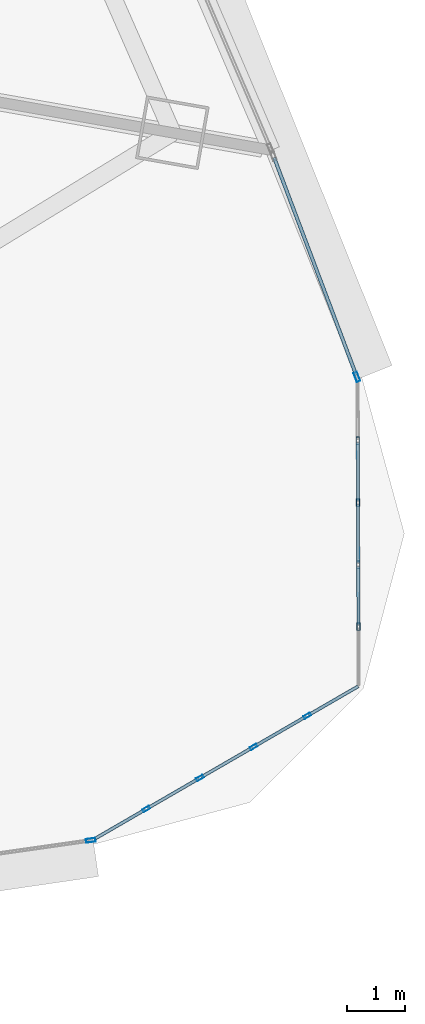
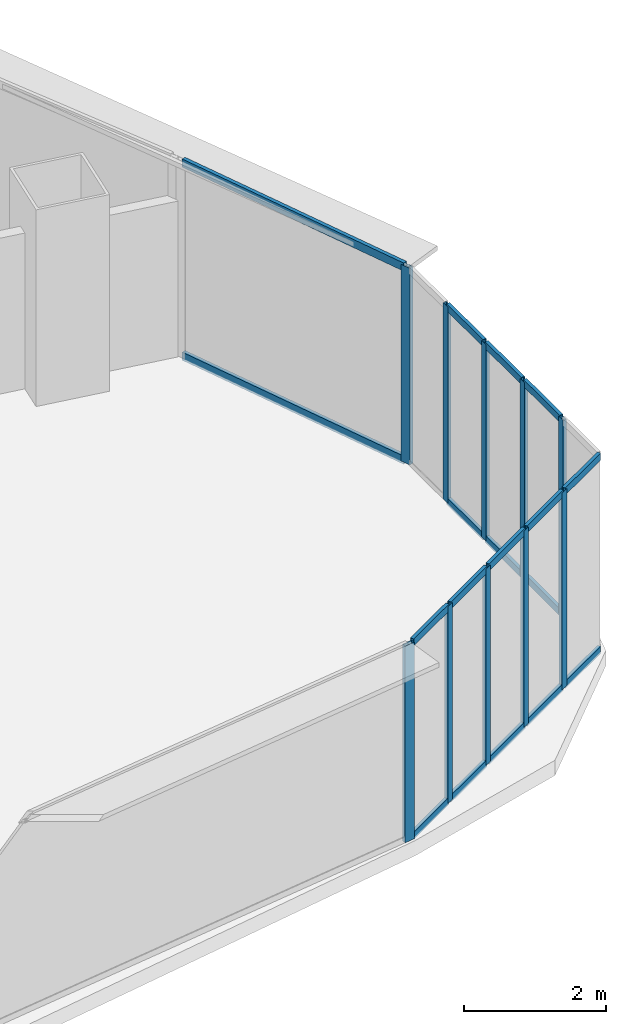
# One storey, part 22 of 42: 28 members, 4 elements without a shape of their own.
"""IFC4 building model written with IfcOpenShell, lengths in metres."""

from ifc_helpers import new_model, si_unit, direction, frame, origin, origin_2d, place, context, subcontext, project, spatial, hollow_rectangle, extrude, source, transform, mapped, material, layer, layer_set, material_profile, profile_set, type_object, element, aggregate, save


model = new_model("IFC4")

# Units and contexts
model_context = context("Model", 3, precision=1e-05, world=origin(), true_north=direction((0.0, 1.0)))
body_context = subcontext(model_context, "Body", "Model", "MODEL_VIEW")
ifc_project = project(units=[si_unit("LENGTHUNIT", "METRE"), si_unit("AREAUNIT", "SQUARE_METRE"), si_unit("VOLUMEUNIT", "CUBIC_METRE"), si_unit("PLANEANGLEUNIT", "RADIAN"), si_unit("MASSUNIT", "GRAM", prefix="KILO"), si_unit("THERMODYNAMICTEMPERATUREUNIT", "KELVIN"), si_unit("POWERUNIT", "WATT")], contexts=[model_context])

# Site, building, storey
site_placement = place(None, origin())
site = spatial("IfcSite", under=ifc_project, at=site_placement, CompositionType="ELEMENT")
building_placement = place(site_placement, origin())
building = spatial("IfcBuilding", under=site, at=building_placement, Name="Yunzhuo Pagoda Commons", CompositionType="ELEMENT")
storey_placement = place(building_placement, frame((0.0, 0.0, 41.2900390625)))
storey = spatial("IfcBuildingStorey", under=building, at=storey_placement, Name="L10", CompositionType="ELEMENT", Elevation=41.2900390625)

# Curtain wall, member
ifc_material = material(Name="Anodized aluminium 6063-T6", Category="aluminium")
ifc_layer_1 = layer(ifc_material, 0.1650390625)
ifc_layer_set_1 = layer_set([ifc_layer_1], Name="Anodized aluminium 6063-T6")
curtain_wall_type_1 = type_object("IfcCurtainWallType", Name="CW-LOW Low-Zone Ribbon Curtain Wall", PredefinedType="NOTDEFINED", material=ifc_layer_set_1)
curtain_wall_1_placement = place(storey_placement, origin())
curtain_wall_1 = element("IfcCurtainWall", 1, at=curtain_wall_1_placement, inside=storey, type_object=curtain_wall_type_1, Name="L10 curtain wall CW-L10-F1B5", PredefinedType="NOTDEFINED")
ifc_material_profile_1 = material_profile(ifc_material, hollow_rectangle(XDim=0.06494140625, YDim=0.1650390625, WallThickness=0.00390625, at=origin_2d()), Name="Anodized aluminium 6063-T6")
ifc_profile_set_1 = profile_set([ifc_material_profile_1], Name="Anodized aluminium 6063-T6")
member_type_1 = type_object("IfcMemberType", Name="CW-LOW-M Mullion RHS 165x65x4", PredefinedType="MULLION", material=ifc_profile_set_1)
shared_shape_1 = source(origin(), body_context, "Body", "SweptSolid", [
    extrude(hollow_rectangle(XDim=0.06494140625, YDim=0.1650390625, WallThickness=0.00390625, at=origin_2d()), origin(), (0.0, 0.0, 1.0), 3.369873046875),
])
member_1_placement = place(storey_placement, frame((86.635986328125, 14.39697265625, 0.0), z_axis=(0.0, 0.0, 1.0), x_axis=(-0.141492753346, 0.989939291447, 0.0)))
member_1 = element("IfcMember", 2, at=member_1_placement, type_object=member_type_1, Name="CW mullion 2", PredefinedType="MULLION", context=body_context, shape_type="MappedRepresentation", body=[
    mapped(shared_shape_1, transform((0.0, 0.0, 0.0), scale=1.0)),
])
aggregate(curtain_wall_1, [member_1])

# Curtain wall, members
curtain_wall_2_placement = place(storey_placement, origin())
curtain_wall_2 = element("IfcCurtainWall", 3, at=curtain_wall_2_placement, inside=storey, type_object=curtain_wall_type_1, Name="L10 curtain wall CW-L10-F2B1", PredefinedType="NOTDEFINED")
member_2_placement = place(storey_placement, frame((91.239990234375, 22.41455078125, 0.0), z_axis=(0.0, 0.0, 1.0), x_axis=(-0.935566420146, -0.353150780113, 0.0)))
member_2 = element("IfcMember", 4, at=member_2_placement, type_object=member_type_1, Name="CW mullion 1", PredefinedType="MULLION", context=body_context, shape_type="MappedRepresentation", body=[
    mapped(shared_shape_1, transform((0.0, 0.0, 0.0), scale=1.0)),
])
ifc_material_profile_2 = material_profile(ifc_material, hollow_rectangle(XDim=0.06005859375, YDim=0.139892578125, WallThickness=0.00341796875, at=origin_2d()), Name="Anodized aluminium 6063-T6")
ifc_profile_set_2 = profile_set([ifc_material_profile_2], Name="Anodized aluminium 6063-T6")
member_type_2 = type_object("IfcMemberType", Name="CW-LOW-T Transom RHS 140x60x3.5", PredefinedType="USERDEFINED", material=ifc_profile_set_2)
shared_shape_2 = source(origin(), body_context, "Body", "SweptSolid", [
    extrude(hollow_rectangle(XDim=0.06005859375, YDim=0.139892578125, WallThickness=0.00341796875, at=origin_2d()), origin(), (0.0, 0.0, 1.0), 4.019775390625),
])
member_3_placement = place(storey_placement, frame((91.228515625, 22.44482421875, 0.030029296875), z_axis=(-0.353172606042, 0.935558181163, 0.0), x_axis=(-0.935558181163, -0.353172606042, 0.0)))
member_3 = element("IfcMember", 5, at=member_3_placement, type_object=member_type_2, Name="CW transom 1.1", ObjectType="TRANSOM", PredefinedType="USERDEFINED", context=body_context, shape_type="MappedRepresentation", body=[
    mapped(shared_shape_2, transform((0.0, 0.0, 0.0), scale=1.0)),
])
member_4_placement = place(storey_placement, frame((91.228515625, 22.44482421875, 3.33984375), z_axis=(-0.353172606042, 0.935558181163, 0.0), x_axis=(-0.935558181163, -0.353172606042, 0.0)))
member_4 = element("IfcMember", 6, at=member_4_placement, type_object=member_type_2, Name="CW transom 1.2", ObjectType="TRANSOM", PredefinedType="USERDEFINED", context=body_context, shape_type="MappedRepresentation", body=[
    mapped(shared_shape_2, transform((0.0, 0.0, 0.0), scale=1.0)),
])
aggregate(curtain_wall_2, [member_2, member_3, member_4])

ifc_layer_2 = layer(ifc_material, 0.1298828125)
ifc_layer_set_2 = layer_set([ifc_layer_2], Name="Anodized aluminium 6063-T6")
curtain_wall_type_2 = type_object("IfcCurtainWallType", Name="CW-VTX Rounded Corner Curtain Wall", PredefinedType="NOTDEFINED", material=ifc_layer_set_2)
curtain_wall_3_placement = place(storey_placement, origin())
curtain_wall_3 = element("IfcCurtainWall", 7, at=curtain_wall_3_placement, inside=storey, type_object=curtain_wall_type_2, Name="L10 curtain wall CW-L10-VTX2S1", PredefinedType="NOTDEFINED")
ifc_material_profile_3 = material_profile(ifc_material, hollow_rectangle(XDim=0.054931640625, YDim=0.1298828125, WallThickness=0.00341796875, at=origin_2d()), Name="Anodized aluminium 6063-T6")
ifc_profile_set_3 = profile_set([ifc_material_profile_3], Name="Anodized aluminium 6063-T6")
member_type_3 = type_object("IfcMemberType", Name="CW-VTX-M Mullion RHS 130x55x3.5", PredefinedType="MULLION", material=ifc_profile_set_3)
shared_shape_3 = source(origin(), body_context, "Body", "SweptSolid", [
    extrude(hollow_rectangle(XDim=0.054931640625, YDim=0.1298828125, WallThickness=0.00341796875, at=origin_2d()), origin(), (0.0, 0.0, 1.0), 3.369873046875),
])
member_5_placement = place(storey_placement, frame((87.5966796875, 14.93896484375, 0.0), z_axis=(0.0, 0.0, 1.0), x_axis=(-0.501041414295, 0.865423307498, 0.0)))
member_5 = element("IfcMember", 8, at=member_5_placement, type_object=member_type_3, Name="CW mullion 2", PredefinedType="MULLION", context=body_context, shape_type="MappedRepresentation", body=[
    mapped(shared_shape_3, transform((0.0, 0.0, 0.0), scale=1.0)),
])
member_6_placement = place(storey_placement, frame((88.525390625, 15.476318359375, 0.0), z_axis=(0.0, 0.0, 1.0), x_axis=(-0.501041414295, 0.865423307498, 0.0)))
member_6 = element("IfcMember", 9, at=member_6_placement, type_object=member_type_3, Name="CW mullion 3", PredefinedType="MULLION", context=body_context, shape_type="MappedRepresentation", body=[
    mapped(shared_shape_3, transform((0.0, 0.0, 0.0), scale=1.0)),
])
member_7_placement = place(storey_placement, frame((89.45361328125, 16.013916015625, 0.0), z_axis=(0.0, 0.0, 1.0), x_axis=(-0.501041414295, 0.865423307498, 0.0)))
member_7 = element("IfcMember", 10, at=member_7_placement, type_object=member_type_3, Name="CW mullion 4", PredefinedType="MULLION", context=body_context, shape_type="MappedRepresentation", body=[
    mapped(shared_shape_3, transform((0.0, 0.0, 0.0), scale=1.0)),
])
member_8_placement = place(storey_placement, frame((90.382080078125, 16.551513671875, 0.0), z_axis=(0.0, 0.0, 1.0), x_axis=(-0.501041414295, 0.865423307498, 0.0)))
member_8 = element("IfcMember", 11, at=member_8_placement, type_object=member_type_3, Name="CW mullion 5", PredefinedType="MULLION", context=body_context, shape_type="MappedRepresentation", body=[
    mapped(shared_shape_3, transform((0.0, 0.0, 0.0), scale=1.0)),
])

curtain_wall_4_placement = place(storey_placement, origin())
curtain_wall_4 = element("IfcCurtainWall", 12, at=curtain_wall_4_placement, inside=storey, type_object=curtain_wall_type_2, Name="L10 curtain wall CW-L10-VTX2S2", PredefinedType="NOTDEFINED")
member_9_placement = place(storey_placement, frame((91.266845703125, 18.092529296875, 0.0), z_axis=(0.0, 0.0, 1.0), x_axis=(-0.999993595138, -0.003579061808, 0.0)))
member_9 = element("IfcMember", 13, at=member_9_placement, type_object=member_type_3, Name="CW mullion 2", PredefinedType="MULLION", context=body_context, shape_type="MappedRepresentation", body=[
    mapped(shared_shape_3, transform((0.0, 0.0, 0.0), scale=1.0)),
])
member_10_placement = place(storey_placement, frame((91.26318359375, 19.165283203125, 0.0), z_axis=(0.0, 0.0, 1.0), x_axis=(-0.999993595138, -0.003579061808, 0.0)))
member_10 = element("IfcMember", 14, at=member_10_placement, type_object=member_type_3, Name="CW mullion 3", PredefinedType="MULLION", context=body_context, shape_type="MappedRepresentation", body=[
    mapped(shared_shape_3, transform((0.0, 0.0, 0.0), scale=1.0)),
])
member_11_placement = place(storey_placement, frame((91.25927734375, 20.23828125, 0.0), z_axis=(0.0, 0.0, 1.0), x_axis=(-0.999993595138, -0.003579061808, 0.0)))
member_11 = element("IfcMember", 15, at=member_11_placement, type_object=member_type_3, Name="CW mullion 4", PredefinedType="MULLION", context=body_context, shape_type="MappedRepresentation", body=[
    mapped(shared_shape_3, transform((0.0, 0.0, 0.0), scale=1.0)),
])
member_12_placement = place(storey_placement, frame((91.25537109375, 21.311279296875, 0.0), z_axis=(0.0, 0.0, 1.0), x_axis=(-0.999993595138, -0.003579061808, 0.0)))
member_12 = element("IfcMember", 16, at=member_12_placement, type_object=member_type_3, Name="CW mullion 5", PredefinedType="MULLION", context=body_context, shape_type="MappedRepresentation", body=[
    mapped(shared_shape_3, transform((0.0, 0.0, 0.0), scale=1.0)),
])

# Member
ifc_material_profile_4 = material_profile(ifc_material, hollow_rectangle(XDim=0.054931640625, YDim=0.1201171875, WallThickness=0.00341796875, at=origin_2d()), Name="Anodized aluminium 6063-T6")
ifc_profile_set_4 = profile_set([ifc_material_profile_4], Name="Anodized aluminium 6063-T6")
member_type_4 = type_object("IfcMemberType", Name="CW-VTX-T Transom RHS 120x55x3.5", PredefinedType="USERDEFINED", material=ifc_profile_set_4)
shared_shape_4 = source(origin(), body_context, "Body", "SweptSolid", [
    extrude(hollow_rectangle(XDim=0.054931640625, YDim=0.1201171875, WallThickness=0.00341796875, at=origin_2d()), origin(), (0.0, 0.0, 1.0), 0.990478515625),
])
member_13_placement = place(storey_placement, frame((90.406005859375, 16.5654296875, 0.02734375), z_axis=(0.865499411208, 0.500909941206, 0.0), x_axis=(-0.500909941206, 0.865499411208, 0.0)))
member_13 = element("IfcMember", 17, at=member_13_placement, type_object=member_type_4, Name="CW transom 5.1", ObjectType="TRANSOM", PredefinedType="USERDEFINED", context=body_context, shape_type="MappedRepresentation", body=[
    mapped(shared_shape_4, transform((0.0, 0.0, 0.0), scale=1.0)),
])

member_14_placement = place(storey_placement, frame((90.406005859375, 16.5654296875, 3.342529296875), z_axis=(0.865499411208, 0.500909941206, 0.0), x_axis=(-0.500909941206, 0.865499411208, 0.0)))
member_14 = element("IfcMember", 18, at=member_14_placement, type_object=member_type_4, Name="CW transom 5.2", ObjectType="TRANSOM", PredefinedType="USERDEFINED", context=body_context, shape_type="MappedRepresentation", body=[
    mapped(shared_shape_4, transform((0.0, 0.0, 0.0), scale=1.0)),
])

shared_shape_5 = source(origin(), body_context, "Body", "SweptSolid", [
    extrude(hollow_rectangle(XDim=0.054931640625, YDim=0.1201171875, WallThickness=0.00341796875, at=origin_2d()), origin(), (0.0, 0.0, 1.0), 1.017822265625),
])
member_15_placement = place(storey_placement, frame((91.26318359375, 19.19287109375, 0.02734375), z_axis=(-0.00383782254, 0.999992635532, 0.0), x_axis=(-0.999992635532, -0.00383782254, 0.0)))
member_15 = element("IfcMember", 19, at=member_15_placement, type_object=member_type_4, Name="CW transom 3.1", ObjectType="TRANSOM", PredefinedType="USERDEFINED", context=body_context, shape_type="MappedRepresentation", body=[
    mapped(shared_shape_5, transform((0.0, 0.0, 0.0), scale=1.0)),
])

member_16_placement = place(storey_placement, frame((91.26318359375, 19.19287109375, 3.342529296875), z_axis=(-0.00383782254, 0.999992635532, 0.0), x_axis=(-0.999992635532, -0.00383782254, 0.0)))
member_16 = element("IfcMember", 20, at=member_16_placement, type_object=member_type_4, Name="CW transom 3.2", ObjectType="TRANSOM", PredefinedType="USERDEFINED", context=body_context, shape_type="MappedRepresentation", body=[
    mapped(shared_shape_5, transform((0.0, 0.0, 0.0), scale=1.0)),
])

member_17_placement = place(storey_placement, frame((91.259033203125, 20.265869140625, 0.02734375), z_axis=(-0.00359796184, 0.999993527314, 0.0), x_axis=(-0.999993527314, -0.00359796184, 0.0)))
member_17 = element("IfcMember", 21, at=member_17_placement, type_object=member_type_4, Name="CW transom 4.1", ObjectType="TRANSOM", PredefinedType="USERDEFINED", context=body_context, shape_type="MappedRepresentation", body=[
    mapped(shared_shape_5, transform((0.0, 0.0, 0.0), scale=1.0)),
])

member_18_placement = place(storey_placement, frame((91.259033203125, 20.265869140625, 3.342529296875), z_axis=(-0.00359796184, 0.999993527314, 0.0), x_axis=(-0.999993527314, -0.00359796184, 0.0)))
member_18 = element("IfcMember", 22, at=member_18_placement, type_object=member_type_4, Name="CW transom 4.2", ObjectType="TRANSOM", PredefinedType="USERDEFINED", context=body_context, shape_type="MappedRepresentation", body=[
    mapped(shared_shape_5, transform((0.0, 0.0, 0.0), scale=1.0)),
])

shared_shape_6 = source(origin(), body_context, "Body", "SweptSolid", [
    extrude(hollow_rectangle(XDim=0.054931640625, YDim=0.1201171875, WallThickness=0.00341796875, at=origin_2d()), origin(), (0.0, 0.0, 1.0), 1.01806640625),
])
member_19_placement = place(storey_placement, frame((87.620361328125, 14.95263671875, 0.02734375), z_axis=(0.865305848027, 0.501244241235, 0.0), x_axis=(-0.501244241235, 0.865305848027, 0.0)))
member_19 = element("IfcMember", 23, at=member_19_placement, type_object=member_type_4, Name="CW transom 2.1", ObjectType="TRANSOM", PredefinedType="USERDEFINED", context=body_context, shape_type="MappedRepresentation", body=[
    mapped(shared_shape_6, transform((0.0, 0.0, 0.0), scale=1.0)),
])

member_20_placement = place(storey_placement, frame((87.620361328125, 14.95263671875, 3.342529296875), z_axis=(0.865305848027, 0.501244241235, 0.0), x_axis=(-0.501244241235, 0.865305848027, 0.0)))
member_20 = element("IfcMember", 24, at=member_20_placement, type_object=member_type_4, Name="CW transom 2.2", ObjectType="TRANSOM", PredefinedType="USERDEFINED", context=body_context, shape_type="MappedRepresentation", body=[
    mapped(shared_shape_6, transform((0.0, 0.0, 0.0), scale=1.0)),
])

member_21_placement = place(storey_placement, frame((88.548828125, 15.490234375, 0.02734375), z_axis=(0.865470064702, 0.500960644268, 0.0), x_axis=(-0.500960644268, 0.865470064702, 0.0)))
member_21 = element("IfcMember", 25, at=member_21_placement, type_object=member_type_4, Name="CW transom 3.1", ObjectType="TRANSOM", PredefinedType="USERDEFINED", context=body_context, shape_type="MappedRepresentation", body=[
    mapped(shared_shape_6, transform((0.0, 0.0, 0.0), scale=1.0)),
])

member_22_placement = place(storey_placement, frame((88.548828125, 15.490234375, 3.342529296875), z_axis=(0.865470064702, 0.500960644268, 0.0), x_axis=(-0.500960644268, 0.865470064702, 0.0)))
member_22 = element("IfcMember", 26, at=member_22_placement, type_object=member_type_4, Name="CW transom 3.2", ObjectType="TRANSOM", PredefinedType="USERDEFINED", context=body_context, shape_type="MappedRepresentation", body=[
    mapped(shared_shape_6, transform((0.0, 0.0, 0.0), scale=1.0)),
])

member_23_placement = place(storey_placement, frame((89.477294921875, 16.02783203125, 0.02734375), z_axis=(0.865470064702, 0.500960644268, 0.0), x_axis=(-0.500960644268, 0.865470064702, 0.0)))
member_23 = element("IfcMember", 27, at=member_23_placement, type_object=member_type_4, Name="CW transom 4.1", ObjectType="TRANSOM", PredefinedType="USERDEFINED", context=body_context, shape_type="MappedRepresentation", body=[
    mapped(shared_shape_6, transform((0.0, 0.0, 0.0), scale=1.0)),
])

member_24_placement = place(storey_placement, frame((89.477294921875, 16.02783203125, 3.342529296875), z_axis=(0.865470064702, 0.500960644268, 0.0), x_axis=(-0.500960644268, 0.865470064702, 0.0)))
member_24 = element("IfcMember", 28, at=member_24_placement, type_object=member_type_4, Name="CW transom 4.2", ObjectType="TRANSOM", PredefinedType="USERDEFINED", context=body_context, shape_type="MappedRepresentation", body=[
    mapped(shared_shape_6, transform((0.0, 0.0, 0.0), scale=1.0)),
])

member_25_placement = place(storey_placement, frame((91.266845703125, 18.1201171875, 0.02734375), z_axis=(-0.00359709903, 0.999993530418, 0.0), x_axis=(-0.999993530418, -0.00359709903, 0.0)))
member_25 = element("IfcMember", 29, at=member_25_placement, type_object=member_type_4, Name="CW transom 2.1", ObjectType="TRANSOM", PredefinedType="USERDEFINED", context=body_context, shape_type="MappedRepresentation", body=[
    mapped(shared_shape_6, transform((0.0, 0.0, 0.0), scale=1.0)),
])

member_26_placement = place(storey_placement, frame((91.266845703125, 18.1201171875, 3.342529296875), z_axis=(-0.00359709903, 0.999993530418, 0.0), x_axis=(-0.999993530418, -0.00359709903, 0.0)))
member_26 = element("IfcMember", 30, at=member_26_placement, type_object=member_type_4, Name="CW transom 2.2", ObjectType="TRANSOM", PredefinedType="USERDEFINED", context=body_context, shape_type="MappedRepresentation", body=[
    mapped(shared_shape_6, transform((0.0, 0.0, 0.0), scale=1.0)),
])

aggregate(curtain_wall_4, [member_9, member_10, member_11, member_12, member_25, member_26, member_15, member_16, member_17, member_18])

shared_shape_7 = source(origin(), body_context, "Body", "SweptSolid", [
    extrude(hollow_rectangle(XDim=0.054931640625, YDim=0.1201171875, WallThickness=0.00341796875, at=origin_2d()), origin(), (0.0, 0.0, 1.0), 0.990234375),
])
member_27_placement = place(storey_placement, frame((86.7158203125, 14.428955078125, 0.02734375), z_axis=(0.865437539194, 0.501016831807, 0.0), x_axis=(-0.501016831807, 0.865437539194, 0.0)))
member_27 = element("IfcMember", 31, at=member_27_placement, type_object=member_type_4, Name="CW transom 1.1", ObjectType="TRANSOM", PredefinedType="USERDEFINED", context=body_context, shape_type="MappedRepresentation", body=[
    mapped(shared_shape_7, transform((0.0, 0.0, 0.0), scale=1.0)),
])

member_28_placement = place(storey_placement, frame((86.7158203125, 14.428955078125, 3.342529296875), z_axis=(0.865437539194, 0.501016831807, 0.0), x_axis=(-0.501016831807, 0.865437539194, 0.0)))
member_28 = element("IfcMember", 32, at=member_28_placement, type_object=member_type_4, Name="CW transom 1.2", ObjectType="TRANSOM", PredefinedType="USERDEFINED", context=body_context, shape_type="MappedRepresentation", body=[
    mapped(shared_shape_7, transform((0.0, 0.0, 0.0), scale=1.0)),
])

aggregate(curtain_wall_3, [member_5, member_6, member_7, member_8, member_27, member_28, member_19, member_20, member_21, member_22, member_23, member_24, member_13, member_14])

save(model, "model.ifc")
